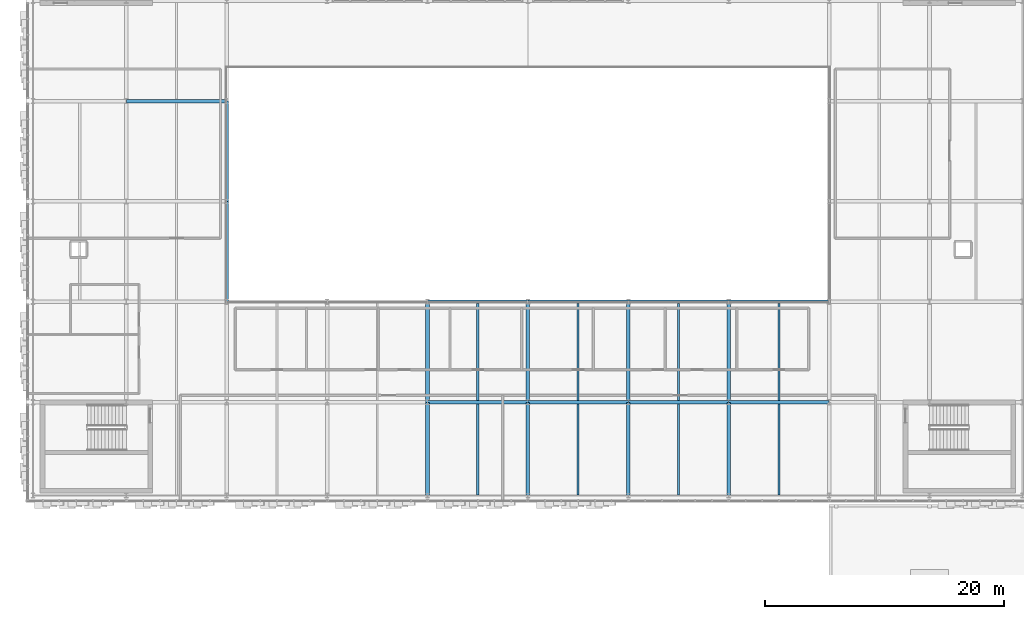
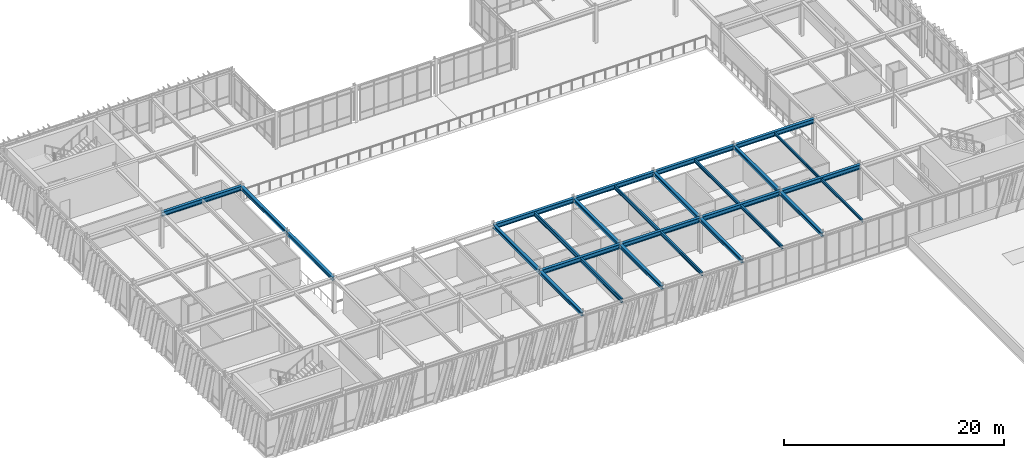
# One storey, part 41 of 127: 27 beams.
"""IFC4 building model written with IfcOpenShell, lengths in metres."""

from ifc_helpers import new_model, si_unit, direction, frame, origin, origin_2d, place, context, subcontext, project, spatial, i_section, extrude, material, material_profile, profile_set, type_object, element, save


model = new_model("IFC4")

# Units and contexts
model_context = context("Model", 3, precision=1e-05, world=origin(), true_north=direction((0.0, 1.0)))
body_context = subcontext(model_context, "Body", "Model", "MODEL_VIEW")
ifc_project = project(units=[si_unit("LENGTHUNIT", "METRE"), si_unit("AREAUNIT", "SQUARE_METRE"), si_unit("VOLUMEUNIT", "CUBIC_METRE"), si_unit("PLANEANGLEUNIT", "RADIAN"), si_unit("MASSUNIT", "GRAM", prefix="KILO")], contexts=[model_context])

# Site, building, storey
site_placement = place(None, origin())
site = spatial("IfcSite", under=ifc_project, at=site_placement, CompositionType="ELEMENT")
building_placement = place(site_placement, origin())
building = spatial("IfcBuilding", under=site, at=building_placement, Name="Zayran Congress Hotel", CompositionType="ELEMENT")
storey_placement = place(building_placement, frame((0.0, 0.0, 10.800048828125)))
storey = spatial("IfcBuildingStorey", under=building, at=storey_placement, Name="L02", CompositionType="ELEMENT", Elevation=10.800048828125)

# Beams
ifc_material = material(Name="Steel S355", Category="steel")
ifc_material_profile_1 = material_profile(ifc_material, i_section(OverallWidth=0.300048828125, OverallDepth=0.489990234375, WebThickness=0.011962890625, FlangeThickness=0.02294921875, at=origin_2d()), Name="HEA 500")
ifc_profile_set_1 = profile_set([ifc_material_profile_1], Name="Steel S355")
beam_type_1 = type_object("IfcBeamType", Name="TP-BM-05", PredefinedType="BEAM", material=ifc_profile_set_1)
beam_1_placement = place(storey_placement, frame((42.0, 76.0, 3.675048828125), z_axis=(1.0, 0.0, 0.0), x_axis=(0.0, 1.0, 0.0)))
element("IfcBeam", 1, at=beam_1_placement, inside=storey, type_object=beam_type_1, Name="BM-V1-L02-0666", PredefinedType="BEAM", context=body_context, shape_type="SweptSolid", body=[
    extrude(i_section(OverallWidth=0.300048828125, OverallDepth=0.489990234375, WebThickness=0.011962890625, FlangeThickness=0.02294921875, at=origin_2d()), origin(), (0.0, 0.0, 1.0), 8.39990234375),
])
beam_2_placement = place(storey_placement, frame((50.39990234375, 76.0, 3.675048828125), z_axis=(1.0, 0.0, 0.0), x_axis=(0.0, 1.0, 0.0)))
element("IfcBeam", 2, at=beam_2_placement, inside=storey, type_object=beam_type_1, Name="BM-V1-L02-0667", PredefinedType="BEAM", context=body_context, shape_type="SweptSolid", body=[
    extrude(i_section(OverallWidth=0.300048828125, OverallDepth=0.489990234375, WebThickness=0.011962890625, FlangeThickness=0.02294921875, at=origin_2d()), origin(), (0.0, 0.0, 1.0), 8.400146484375),
])
beam_3_placement = place(storey_placement, frame((58.800048828125, 76.0, 3.675048828125), z_axis=(1.0, 0.0, 0.0), x_axis=(0.0, 1.0, 0.0)))
element("IfcBeam", 3, at=beam_3_placement, inside=storey, type_object=beam_type_1, Name="BM-V1-L02-0668", PredefinedType="BEAM", context=body_context, shape_type="SweptSolid", body=[
    extrude(i_section(OverallWidth=0.300048828125, OverallDepth=0.489990234375, WebThickness=0.011962890625, FlangeThickness=0.02294921875, at=origin_2d()), origin(), (0.0, 0.0, 1.0), 8.39990234375),
])
beam_4_placement = place(storey_placement, frame((67.199951171875, 76.0, 3.675048828125), z_axis=(1.0, 0.0, 0.0), x_axis=(0.0, 1.0, 0.0)))
element("IfcBeam", 4, at=beam_4_placement, inside=storey, type_object=beam_type_1, Name="BM-V1-L02-0669", PredefinedType="BEAM", context=body_context, shape_type="SweptSolid", body=[
    extrude(i_section(OverallWidth=0.300048828125, OverallDepth=0.489990234375, WebThickness=0.011962890625, FlangeThickness=0.02294921875, at=origin_2d()), origin(), (0.0, 0.0, 1.0), 8.400146484375),
])
beam_5_placement = place(storey_placement, frame((42.0, 84.39990234375, 3.675048828125), z_axis=(1.0, 0.0, 0.0), x_axis=(0.0, 1.0, 0.0)))
element("IfcBeam", 5, at=beam_5_placement, inside=storey, type_object=beam_type_1, Name="BM-V1-L02-0676", PredefinedType="BEAM", context=body_context, shape_type="SweptSolid", body=[
    extrude(i_section(OverallWidth=0.300048828125, OverallDepth=0.489990234375, WebThickness=0.011962890625, FlangeThickness=0.02294921875, at=origin_2d()), origin(), (0.0, 0.0, 1.0), 8.39990234375),
])
beam_6_placement = place(storey_placement, frame((50.39990234375, 84.39990234375, 3.675048828125), z_axis=(1.0, 0.0, 0.0), x_axis=(0.0, 1.0, 0.0)))
element("IfcBeam", 6, at=beam_6_placement, inside=storey, type_object=beam_type_1, Name="BM-V1-L02-0677", PredefinedType="BEAM", context=body_context, shape_type="SweptSolid", body=[
    extrude(i_section(OverallWidth=0.300048828125, OverallDepth=0.489990234375, WebThickness=0.011962890625, FlangeThickness=0.02294921875, at=origin_2d()), origin(), (0.0, 0.0, 1.0), 8.400146484375),
])
beam_7_placement = place(storey_placement, frame((58.800048828125, 84.39990234375, 3.675048828125), z_axis=(1.0, 0.0, 0.0), x_axis=(0.0, 1.0, 0.0)))
element("IfcBeam", 7, at=beam_7_placement, inside=storey, type_object=beam_type_1, Name="BM-V1-L02-0678", PredefinedType="BEAM", context=body_context, shape_type="SweptSolid", body=[
    extrude(i_section(OverallWidth=0.300048828125, OverallDepth=0.489990234375, WebThickness=0.011962890625, FlangeThickness=0.02294921875, at=origin_2d()), origin(), (0.0, 0.0, 1.0), 8.39990234375),
])
beam_8_placement = place(storey_placement, frame((67.199951171875, 84.39990234375, 3.675048828125), z_axis=(1.0, 0.0, 0.0), x_axis=(0.0, 1.0, 0.0)))
element("IfcBeam", 8, at=beam_8_placement, inside=storey, type_object=beam_type_1, Name="BM-V1-L02-0679", PredefinedType="BEAM", context=body_context, shape_type="SweptSolid", body=[
    extrude(i_section(OverallWidth=0.300048828125, OverallDepth=0.489990234375, WebThickness=0.011962890625, FlangeThickness=0.02294921875, at=origin_2d()), origin(), (0.0, 0.0, 1.0), 8.400146484375),
])
beam_9_placement = place(storey_placement, frame((16.800048828125, 101.199951171875, 3.675048828125), z_axis=(1.0, 0.0, 0.0), x_axis=(0.0, 1.0, 0.0)))
element("IfcBeam", 9, at=beam_9_placement, inside=storey, type_object=beam_type_1, Name="BM-V1-L02-0687", PredefinedType="BEAM", context=body_context, shape_type="SweptSolid", body=[
    extrude(i_section(OverallWidth=0.300048828125, OverallDepth=0.489990234375, WebThickness=0.011962890625, FlangeThickness=0.02294921875, at=origin_2d()), origin(), (0.0, 0.0, 1.0), 8.39990234375),
])
ifc_material_profile_2 = material_profile(ifc_material, i_section(OverallWidth=0.300048828125, OverallDepth=0.389892578125, WebThickness=0.010986328125, FlangeThickness=0.01904296875, at=origin_2d()), Name="HEA 400")
ifc_profile_set_2 = profile_set([ifc_material_profile_2], Name="Steel S355")
beam_type_2 = type_object("IfcBeamType", Name="TP-BM-06", PredefinedType="BEAM", material=ifc_profile_set_2)
beam_10_placement = place(storey_placement, frame((25.199951171875, 84.39990234375, 3.724853515625), z_axis=(0.0, 1.0, 0.0), x_axis=(-1.0, 0.0, 0.0)))
element("IfcBeam", 10, at=beam_10_placement, inside=storey, type_object=beam_type_2, Name="BM-V1-L02-0722", PredefinedType="BEAM", context=body_context, shape_type="SweptSolid", body=[
    extrude(i_section(OverallWidth=0.300048828125, OverallDepth=0.389892578125, WebThickness=0.010986328125, FlangeThickness=0.01904296875, at=origin_2d()), origin(), (0.0, 0.0, 1.0), 8.400146484375),
])
beam_11_placement = place(storey_placement, frame((25.199951171875, 92.800048828125, 3.724853515625), z_axis=(0.0, 1.0, 0.0), x_axis=(-1.0, 0.0, 0.0)))
element("IfcBeam", 11, at=beam_11_placement, inside=storey, type_object=beam_type_2, Name="BM-V1-L02-0723", PredefinedType="BEAM", context=body_context, shape_type="SweptSolid", body=[
    extrude(i_section(OverallWidth=0.300048828125, OverallDepth=0.389892578125, WebThickness=0.010986328125, FlangeThickness=0.01904296875, at=origin_2d()), origin(), (0.0, 0.0, 1.0), 8.39990234375),
])
beam_12_placement = place(storey_placement, frame((42.0, 68.199951171875, 3.724853515625), z_axis=(0.0, 1.0, 0.0), x_axis=(-1.0, 0.0, 0.0)))
element("IfcBeam", 12, at=beam_12_placement, inside=storey, type_object=beam_type_2, Name="BM-V1-L02-0729", PredefinedType="BEAM", context=body_context, shape_type="SweptSolid", body=[
    extrude(i_section(OverallWidth=0.300048828125, OverallDepth=0.389892578125, WebThickness=0.010986328125, FlangeThickness=0.01904296875, at=origin_2d()), origin(), (0.0, 0.0, 1.0), 7.800048828125),
])
beam_13_placement = place(storey_placement, frame((42.0, 76.0, 3.724853515625), z_axis=(0.0, 1.0, 0.0), x_axis=(-1.0, 0.0, 0.0)))
element("IfcBeam", 13, at=beam_13_placement, inside=storey, type_object=beam_type_2, Name="BM-V1-L02-0730", PredefinedType="BEAM", context=body_context, shape_type="SweptSolid", body=[
    extrude(i_section(OverallWidth=0.300048828125, OverallDepth=0.389892578125, WebThickness=0.010986328125, FlangeThickness=0.01904296875, at=origin_2d()), origin(), (0.0, 0.0, 1.0), 8.39990234375),
])
beam_14_placement = place(storey_placement, frame((50.39990234375, 68.199951171875, 3.724853515625), z_axis=(0.0, 1.0, 0.0), x_axis=(-1.0, 0.0, 0.0)))
element("IfcBeam", 14, at=beam_14_placement, inside=storey, type_object=beam_type_2, Name="BM-V1-L02-0732", PredefinedType="BEAM", context=body_context, shape_type="SweptSolid", body=[
    extrude(i_section(OverallWidth=0.300048828125, OverallDepth=0.389892578125, WebThickness=0.010986328125, FlangeThickness=0.01904296875, at=origin_2d()), origin(), (0.0, 0.0, 1.0), 7.800048828125),
])
beam_15_placement = place(storey_placement, frame((50.39990234375, 76.0, 3.724853515625), z_axis=(0.0, 1.0, 0.0), x_axis=(-1.0, 0.0, 0.0)))
element("IfcBeam", 15, at=beam_15_placement, inside=storey, type_object=beam_type_2, Name="BM-V1-L02-0733", PredefinedType="BEAM", context=body_context, shape_type="SweptSolid", body=[
    extrude(i_section(OverallWidth=0.300048828125, OverallDepth=0.389892578125, WebThickness=0.010986328125, FlangeThickness=0.01904296875, at=origin_2d()), origin(), (0.0, 0.0, 1.0), 8.39990234375),
])
beam_16_placement = place(storey_placement, frame((58.800048828125, 68.199951171875, 3.724853515625), z_axis=(0.0, 1.0, 0.0), x_axis=(-1.0, 0.0, 0.0)))
element("IfcBeam", 16, at=beam_16_placement, inside=storey, type_object=beam_type_2, Name="BM-V1-L02-0735", PredefinedType="BEAM", context=body_context, shape_type="SweptSolid", body=[
    extrude(i_section(OverallWidth=0.300048828125, OverallDepth=0.389892578125, WebThickness=0.010986328125, FlangeThickness=0.01904296875, at=origin_2d()), origin(), (0.0, 0.0, 1.0), 7.800048828125),
])
beam_17_placement = place(storey_placement, frame((58.800048828125, 76.0, 3.724853515625), z_axis=(0.0, 1.0, 0.0), x_axis=(-1.0, 0.0, 0.0)))
element("IfcBeam", 17, at=beam_17_placement, inside=storey, type_object=beam_type_2, Name="BM-V1-L02-0736", PredefinedType="BEAM", context=body_context, shape_type="SweptSolid", body=[
    extrude(i_section(OverallWidth=0.300048828125, OverallDepth=0.389892578125, WebThickness=0.010986328125, FlangeThickness=0.01904296875, at=origin_2d()), origin(), (0.0, 0.0, 1.0), 8.39990234375),
])
beam_18_placement = place(storey_placement, frame((67.199951171875, 68.199951171875, 3.724853515625), z_axis=(0.0, 1.0, 0.0), x_axis=(-1.0, 0.0, 0.0)))
element("IfcBeam", 18, at=beam_18_placement, inside=storey, type_object=beam_type_2, Name="BM-V1-L02-0738", PredefinedType="BEAM", context=body_context, shape_type="SweptSolid", body=[
    extrude(i_section(OverallWidth=0.300048828125, OverallDepth=0.389892578125, WebThickness=0.010986328125, FlangeThickness=0.01904296875, at=origin_2d()), origin(), (0.0, 0.0, 1.0), 7.800048828125),
])
beam_19_placement = place(storey_placement, frame((67.199951171875, 76.0, 3.724853515625), z_axis=(0.0, 1.0, 0.0), x_axis=(-1.0, 0.0, 0.0)))
element("IfcBeam", 19, at=beam_19_placement, inside=storey, type_object=beam_type_2, Name="BM-V1-L02-0739", PredefinedType="BEAM", context=body_context, shape_type="SweptSolid", body=[
    extrude(i_section(OverallWidth=0.300048828125, OverallDepth=0.389892578125, WebThickness=0.010986328125, FlangeThickness=0.01904296875, at=origin_2d()), origin(), (0.0, 0.0, 1.0), 8.39990234375),
])
ifc_material_profile_3 = material_profile(ifc_material, i_section(OverallWidth=0.18994140625, OverallDepth=0.449951171875, WebThickness=0.009521484375, FlangeThickness=0.0146484375, at=origin_2d()), Name="IPE 450")
ifc_profile_set_3 = profile_set([ifc_material_profile_3], Name="Steel S355")
beam_type_3 = type_object("IfcBeamType", Name="TP-JS-02", PredefinedType="JOIST", material=ifc_profile_set_3)
beam_20_placement = place(storey_placement, frame((46.199951171875, 68.260009765625, 3.695068359375), z_axis=(0.0, 1.0, 0.0), x_axis=(-1.0, 0.0, 0.0)))
element("IfcBeam", 20, at=beam_20_placement, inside=storey, type_object=beam_type_3, Name="JST-V1-L02-0771", PredefinedType="JOIST", context=body_context, shape_type="SweptSolid", body=[
    extrude(i_section(OverallWidth=0.18994140625, OverallDepth=0.449951171875, WebThickness=0.009521484375, FlangeThickness=0.0146484375, at=origin_2d()), origin(), (0.0, 0.0, 1.0), 7.590087890625),
])
beam_21_placement = place(storey_placement, frame((46.199951171875, 76.14990234375, 3.695068359375), z_axis=(0.0, 1.0, 0.0), x_axis=(-1.0, 0.0, 0.0)))
element("IfcBeam", 21, at=beam_21_placement, inside=storey, type_object=beam_type_3, Name="JST-V1-L02-0772", PredefinedType="JOIST", context=body_context, shape_type="SweptSolid", body=[
    extrude(i_section(OverallWidth=0.18994140625, OverallDepth=0.449951171875, WebThickness=0.009521484375, FlangeThickness=0.0146484375, at=origin_2d()), origin(), (0.0, 0.0, 1.0), 8.10009765625),
])
ifc_material_profile_4 = material_profile(ifc_material, i_section(OverallWidth=0.179931640625, OverallDepth=0.39990234375, WebThickness=0.008544921875, FlangeThickness=0.013427734375, at=origin_2d()), Name="IPE 400")
ifc_profile_set_4 = profile_set([ifc_material_profile_4], Name="Steel S355")
beam_type_4 = type_object("IfcBeamType", Name="TP-JS-03", PredefinedType="JOIST", material=ifc_profile_set_4)
beam_22_placement = place(storey_placement, frame((54.60009765625, 68.260009765625, 3.719970703125), z_axis=(0.0, 1.0, 0.0), x_axis=(-1.0, 0.0, 0.0)))
element("IfcBeam", 22, at=beam_22_placement, inside=storey, type_object=beam_type_4, Name="JST-V1-L02-0774", PredefinedType="JOIST", context=body_context, shape_type="SweptSolid", body=[
    extrude(i_section(OverallWidth=0.179931640625, OverallDepth=0.39990234375, WebThickness=0.008544921875, FlangeThickness=0.013427734375, at=origin_2d()), origin(), (0.0, 0.0, 1.0), 7.590087890625),
])
beam_23_placement = place(storey_placement, frame((54.60009765625, 76.14990234375, 3.719970703125), z_axis=(0.0, 1.0, 0.0), x_axis=(-1.0, 0.0, 0.0)))
element("IfcBeam", 23, at=beam_23_placement, inside=storey, type_object=beam_type_4, Name="JST-V1-L02-0775", PredefinedType="JOIST", context=body_context, shape_type="SweptSolid", body=[
    extrude(i_section(OverallWidth=0.179931640625, OverallDepth=0.39990234375, WebThickness=0.008544921875, FlangeThickness=0.013427734375, at=origin_2d()), origin(), (0.0, 0.0, 1.0), 8.10009765625),
])
ifc_material_profile_5 = material_profile(ifc_material, i_section(OverallWidth=0.169921875, OverallDepth=0.360107421875, WebThickness=0.008056640625, FlangeThickness=0.0126953125, at=origin_2d()), Name="IPE 360")
ifc_profile_set_5 = profile_set([ifc_material_profile_5], Name="Steel S355")
beam_type_5 = type_object("IfcBeamType", Name="TP-JS-04", PredefinedType="JOIST", material=ifc_profile_set_5)
beam_24_placement = place(storey_placement, frame((63.0, 68.260009765625, 3.739990234375), z_axis=(0.0, 1.0, 0.0), x_axis=(-1.0, 0.0, 0.0)))
element("IfcBeam", 24, at=beam_24_placement, inside=storey, type_object=beam_type_5, Name="JST-V1-L02-0777", PredefinedType="JOIST", context=body_context, shape_type="SweptSolid", body=[
    extrude(i_section(OverallWidth=0.169921875, OverallDepth=0.360107421875, WebThickness=0.008056640625, FlangeThickness=0.0126953125, at=origin_2d()), origin(), (0.0, 0.0, 1.0), 7.590087890625),
])
beam_25_placement = place(storey_placement, frame((63.0, 76.14990234375, 3.739990234375), z_axis=(0.0, 1.0, 0.0), x_axis=(-1.0, 0.0, 0.0)))
element("IfcBeam", 25, at=beam_25_placement, inside=storey, type_object=beam_type_5, Name="JST-V1-L02-0778", PredefinedType="JOIST", context=body_context, shape_type="SweptSolid", body=[
    extrude(i_section(OverallWidth=0.169921875, OverallDepth=0.360107421875, WebThickness=0.008056640625, FlangeThickness=0.0126953125, at=origin_2d()), origin(), (0.0, 0.0, 1.0), 8.10009765625),
])
ifc_material_profile_6 = material_profile(ifc_material, i_section(OverallWidth=0.14990234375, OverallDepth=0.300048828125, WebThickness=0.007080078125, FlangeThickness=0.0107421875, at=origin_2d()), Name="IPE 300")
ifc_profile_set_6 = profile_set([ifc_material_profile_6], Name="Steel S355")
beam_type_6 = type_object("IfcBeamType", Name="TP-JS-05", PredefinedType="JOIST", material=ifc_profile_set_6)
beam_26_placement = place(storey_placement, frame((71.39990234375, 68.260009765625, 3.77001953125), z_axis=(0.0, 1.0, 0.0), x_axis=(-1.0, 0.0, 0.0)))
element("IfcBeam", 26, at=beam_26_placement, inside=storey, type_object=beam_type_6, Name="JST-V1-L02-0780", PredefinedType="JOIST", context=body_context, shape_type="SweptSolid", body=[
    extrude(i_section(OverallWidth=0.14990234375, OverallDepth=0.300048828125, WebThickness=0.007080078125, FlangeThickness=0.0107421875, at=origin_2d()), origin(), (0.0, 0.0, 1.0), 7.590087890625),
])
beam_27_placement = place(storey_placement, frame((71.39990234375, 76.14990234375, 3.77001953125), z_axis=(0.0, 1.0, 0.0), x_axis=(-1.0, 0.0, 0.0)))
element("IfcBeam", 27, at=beam_27_placement, inside=storey, type_object=beam_type_6, Name="JST-V1-L02-0781", PredefinedType="JOIST", context=body_context, shape_type="SweptSolid", body=[
    extrude(i_section(OverallWidth=0.14990234375, OverallDepth=0.300048828125, WebThickness=0.007080078125, FlangeThickness=0.0107421875, at=origin_2d()), origin(), (0.0, 0.0, 1.0), 8.10009765625),
])

save(model, "model.ifc")
